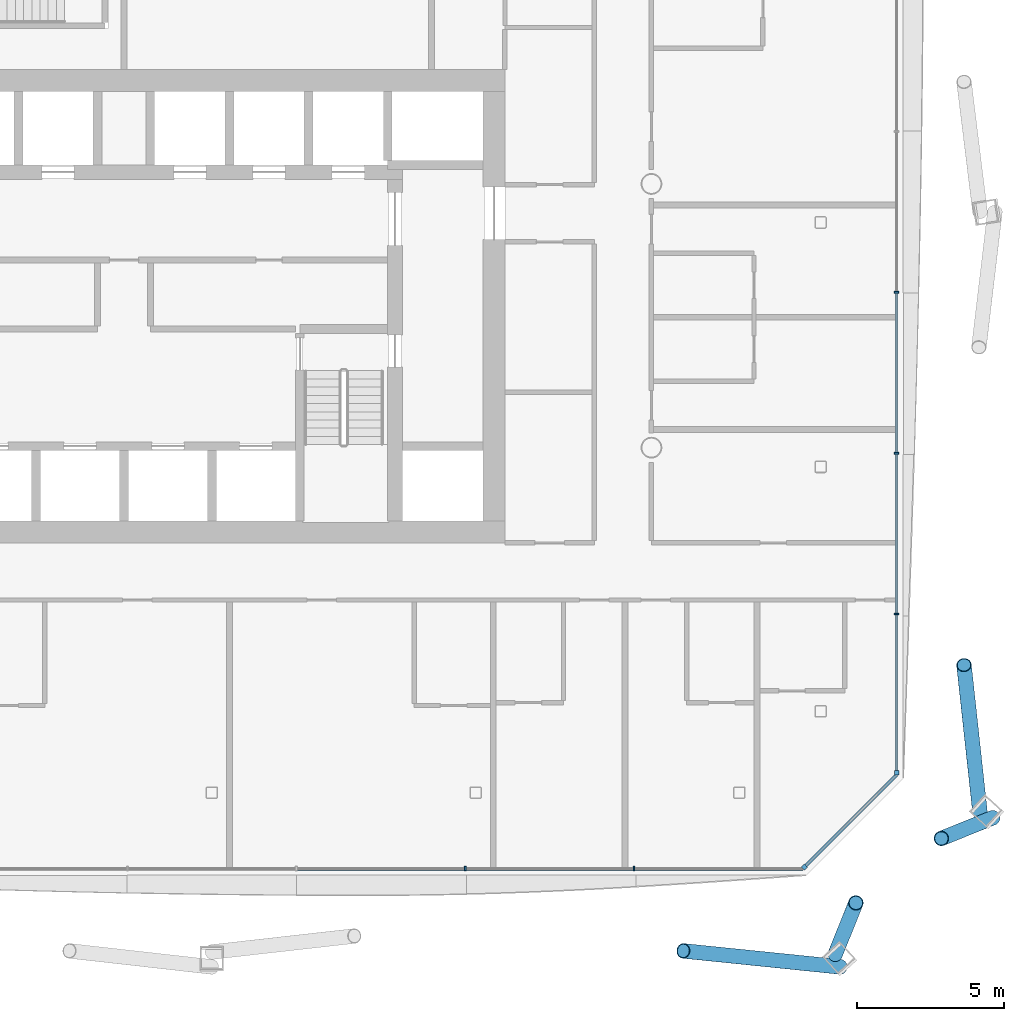
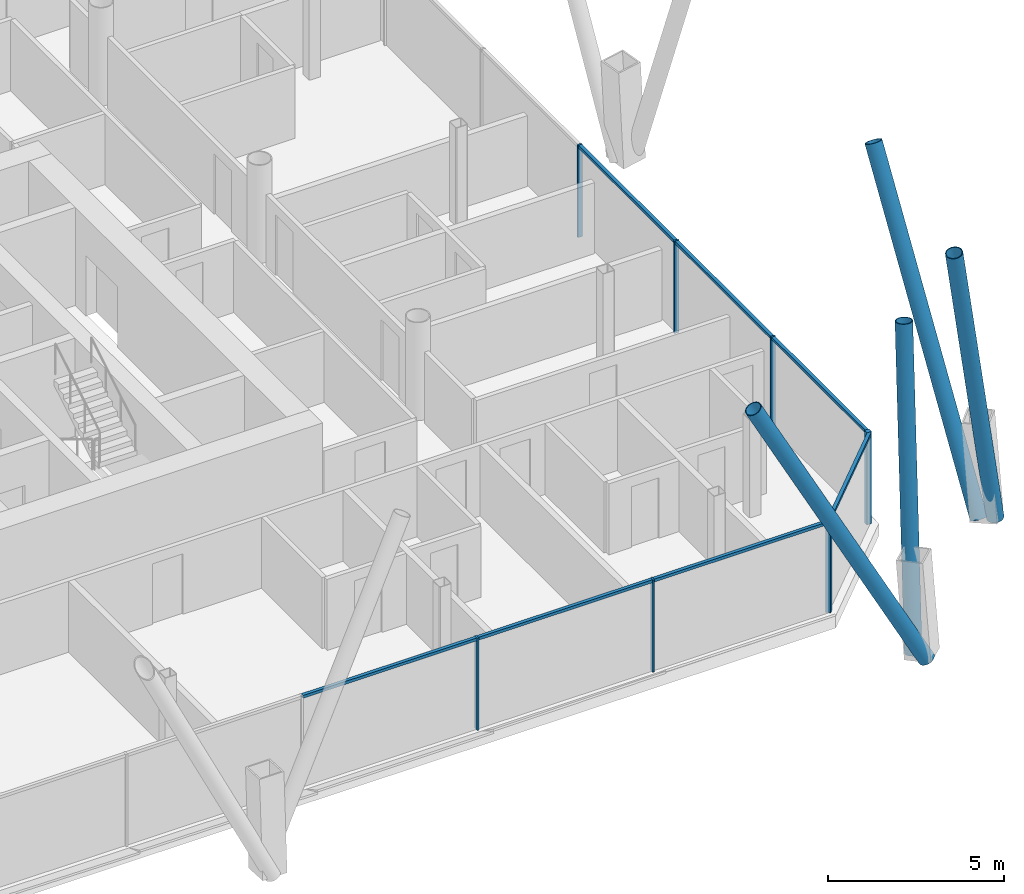
# One storey, part 7 of 22: 18 members, 3 elements without a shape of their own.
"""IFC4 building model written with IfcOpenShell, lengths in metres."""

from ifc_helpers import new_model, si_unit, direction, frame, origin, origin_2d, place, context, subcontext, project, spatial, rectangle, hollow_circle, extrude, material, material_profile, profile_set, type_object, element, aggregate, save


model = new_model("IFC4")

# Units and contexts
model_context = context("Model", 3, precision=1e-05, world=origin(), true_north=direction((0.0, 1.0)))
body_context = subcontext(model_context, "Body", "Model", "MODEL_VIEW")
ifc_project = project(units=[si_unit("LENGTHUNIT", "METRE"), si_unit("AREAUNIT", "SQUARE_METRE"), si_unit("VOLUMEUNIT", "CUBIC_METRE"), si_unit("PLANEANGLEUNIT", "RADIAN"), si_unit("MASSUNIT", "GRAM", prefix="KILO")], contexts=[model_context])

# Site, building, storey
site_placement = place(None, origin())
site = spatial("IfcSite", under=ifc_project, at=site_placement, CompositionType="ELEMENT")
building_placement = place(site_placement, origin())
building = spatial("IfcBuilding", under=site, at=building_placement, Name="Tskaro Facet Tower", CompositionType="ELEMENT")
storey_placement = place(building_placement, frame((0.0, 0.0, 121.5)))
storey = spatial("IfcBuildingStorey", under=building, at=storey_placement, Name="L28", CompositionType="ELEMENT", Elevation=121.5)

# Members
ifc_material_1 = material(Name="Steel S355J2H", Category="steel")
ifc_material_profile_1 = material_profile(ifc_material_1, hollow_circle(Radius=0.25390625, WallThickness=0.02490234375, at=origin_2d()), Name="CHS 508x25")
ifc_profile_set_1 = profile_set([ifc_material_profile_1], Name="Steel S355J2H")
member_type_1 = type_object("IfcMemberType", Name="CHS 508x25 brace", PredefinedType="BRACE", material=ifc_profile_set_1)
member_1_placement = place(storey_placement, frame((24.450927734375, -26.720947265625, 0.0), z_axis=(-0.464841154479, 0.047466025198, 0.884120850085), x_axis=(-0.101584123416, -0.994826952726, 0.0)))
element("IfcMember", 1, at=member_1_placement, inside=storey, type_object=member_type_1, Name="CHS 508x25 XB02B/3", PredefinedType="BRACE", context=body_context, shape_type="SweptSolid", body=[
    extrude(hollow_circle(Radius=0.25390625, WallThickness=0.02490234375, at=origin_2d()), origin(), (0.0, 0.0, 1.0), 11.536865234375),
])
for number, where, z_axis, x_axis, name in (
    (2, (24.271484375, -26.287353515625, 0.0), (0.06806170464, 0.16909521018, 0.983246873504), (-0.927673141554, 0.373393281193, 0.0), "CHS 508x25 XB03A/3"),
    (3, (29.646484375, -21.630615234375, 0.0), (-0.169094939278, -0.068085130039, 0.983245298274), (0.373504384444, -0.927628414184, 0.0), "CHS 508x25 XB03B/3"),
):
    element("IfcMember", number, at=place(storey_placement, frame(where, z_axis=z_axis, x_axis=x_axis)), inside=storey, type_object=member_type_1, Name=name, PredefinedType="BRACE", context=body_context, shape_type="SweptSolid", body=[
        extrude(hollow_circle(Radius=0.25390625, WallThickness=0.02490234375, at=origin_2d()), origin(), (0.0, 0.0, 1.0), 10.373779296875),
    ])
member_2_placement = place(storey_placement, frame((29.212890625, -21.450927734375, 0.0), z_axis=(-0.048088139022, 0.442033548975, 0.895708586799), x_axis=(-0.99413454978, -0.108150344124, 0.0)))
element("IfcMember", 4, at=member_2_placement, inside=storey, type_object=member_type_1, Name="CHS 508x25 XB04A/3", PredefinedType="BRACE", context=body_context, shape_type="SweptSolid", body=[
    extrude(hollow_circle(Radius=0.25390625, WallThickness=0.02490234375, at=origin_2d()), origin(), (0.0, 0.0, 1.0), 11.3876953125),
])

# Curtain wall, member
ifc_material_2 = material(Name="Bronze anodised aluminium 6063-T6", Category="aluminium")
curtain_wall_type = type_object("IfcCurtainWallType", Name="Bronze hotel curtain wall (FW2)", PredefinedType="NOTDEFINED", material=ifc_material_2)
curtain_wall_1_placement = place(storey_placement, origin())
curtain_wall_1 = element("IfcCurtainWall", 5, at=curtain_wall_1_placement, inside=storey, type_object=curtain_wall_type, Name="FW2 south-east facet L28", PredefinedType="NOTDEFINED")
ifc_material_profile_2 = material_profile(ifc_material_2, rectangle(XDim=0.14990234375, YDim=0.14990234375, at=origin_2d()), Name="Corner post 150x150")
ifc_profile_set_2 = profile_set([ifc_material_profile_2], Name="Bronze anodised aluminium 6063-T6")
member_type_2 = type_object("IfcMemberType", Name="FW2 bronze corner post 150x150", PredefinedType="MULLION", material=ifc_profile_set_2)
member_3_placement = place(storey_placement, frame((23.218994140625, -23.31396484375, 0.0), z_axis=(0.0, 0.0, 1.0), x_axis=(0.707106781187, 0.707106781187, 0.0)))
member_3 = element("IfcMember", 6, at=member_3_placement, type_object=member_type_2, Name="FW2 south-east corner post", PredefinedType="MULLION", context=body_context, shape_type="SweptSolid", body=[
    extrude(rectangle(XDim=0.14990234375, YDim=0.14990234375, at=origin_2d()), origin(), (0.0, 0.0, 1.0), 3.199951171875),
])

curtain_wall_2_placement = place(storey_placement, origin())
curtain_wall_2 = element("IfcCurtainWall", 7, at=curtain_wall_2_placement, inside=storey, type_object=curtain_wall_type, Name="FW2 east facet L28", PredefinedType="NOTDEFINED")
member_4_placement = place(storey_placement, frame((26.366943359375, -20.091064453125, 0.0), z_axis=(0.0, 0.0, 1.0), x_axis=(0.0, 1.0, 0.0)))
member_4 = element("IfcMember", 8, at=member_4_placement, type_object=member_type_2, Name="FW2 east corner post", PredefinedType="MULLION", context=body_context, shape_type="SweptSolid", body=[
    extrude(rectangle(XDim=0.14990234375, YDim=0.14990234375, at=origin_2d()), origin(), (0.0, 0.0, 1.0), 3.199951171875),
])

# Curtain wall, members
curtain_wall_3_placement = place(storey_placement, origin())
curtain_wall_3 = element("IfcCurtainWall", 9, at=curtain_wall_3_placement, inside=storey, type_object=curtain_wall_type, Name="FW2 south facet L28", PredefinedType="NOTDEFINED")
ifc_material_profile_3 = material_profile(ifc_material_2, rectangle(XDim=0.06005859375, YDim=0.14990234375, at=origin_2d()), Name="Mullion 60x150")
ifc_profile_set_3 = profile_set([ifc_material_profile_3], Name="Bronze anodised aluminium 6063-T6")
member_type_3 = type_object("IfcMemberType", Name="FW2 bronze mullion 60x150", PredefinedType="MULLION", material=ifc_profile_set_3)
member_5_placement = place(storey_placement, frame((11.642578125, -23.366943359375, 0.0), z_axis=(0.0, 0.0, 1.0), x_axis=(1.0, 0.0, 0.0)))
member_5 = element("IfcMember", 10, at=member_5_placement, type_object=member_type_3, Name="FW2 south mullion 5", PredefinedType="MULLION", context=body_context, shape_type="SweptSolid", body=[
    extrude(rectangle(XDim=0.06005859375, YDim=0.14990234375, at=origin_2d()), origin(), (0.0, 0.0, 1.0), 3.199951171875),
])
member_6_placement = place(storey_placement, frame((17.404296875, -23.366943359375, 0.0), z_axis=(0.0, 0.0, 1.0), x_axis=(1.0, 0.0, 0.0)))
member_6 = element("IfcMember", 11, at=member_6_placement, type_object=member_type_3, Name="FW2 south mullion 6", PredefinedType="MULLION", context=body_context, shape_type="SweptSolid", body=[
    extrude(rectangle(XDim=0.06005859375, YDim=0.14990234375, at=origin_2d()), origin(), (0.0, 0.0, 1.0), 3.199951171875),
])

# Member
member_7_placement = place(storey_placement, frame((26.366943359375, -14.677490234375, 0.0), z_axis=(0.0, 0.0, 1.0), x_axis=(0.0, 1.0, 0.0)))
member_7 = element("IfcMember", 12, at=member_7_placement, type_object=member_type_3, Name="FW2 east mullion 1", PredefinedType="MULLION", context=body_context, shape_type="SweptSolid", body=[
    extrude(rectangle(XDim=0.06005859375, YDim=0.14990234375, at=origin_2d()), origin(), (0.0, 0.0, 1.0), 3.199951171875),
])

member_8_placement = place(storey_placement, frame((26.366943359375, -9.189208984375, 0.0), z_axis=(0.0, 0.0, 1.0), x_axis=(0.0, 1.0, 0.0)))
member_8 = element("IfcMember", 13, at=member_8_placement, type_object=member_type_3, Name="FW2 east mullion 2", PredefinedType="MULLION", context=body_context, shape_type="SweptSolid", body=[
    extrude(rectangle(XDim=0.06005859375, YDim=0.14990234375, at=origin_2d()), origin(), (0.0, 0.0, 1.0), 3.199951171875),
])

member_9_placement = place(storey_placement, frame((26.366943359375, -3.70068359375, 0.0), z_axis=(0.0, 0.0, 1.0), x_axis=(0.0, 1.0, 0.0)))
member_9 = element("IfcMember", 14, at=member_9_placement, type_object=member_type_3, Name="FW2 east mullion 3", PredefinedType="MULLION", context=body_context, shape_type="SweptSolid", body=[
    extrude(rectangle(XDim=0.06005859375, YDim=0.14990234375, at=origin_2d()), origin(), (0.0, 0.0, 1.0), 3.199951171875),
])

ifc_material_profile_4 = material_profile(ifc_material_2, rectangle(XDim=0.110107421875, YDim=0.10009765625, at=origin_2d()), Name="Transom 110x100")
ifc_profile_set_4 = profile_set([ifc_material_profile_4], Name="Bronze anodised aluminium 6063-T6")
member_type_4 = type_object("IfcMemberType", Name="FW2 bronze transom 110x100", PredefinedType="USERDEFINED", material=ifc_profile_set_4)
member_10_placement = place(storey_placement, frame((5.910888671875, -23.366943359375, 3.14990234375), z_axis=(1.0, 0.0, 0.0), x_axis=(0.0, 1.0, 0.0)))
member_10 = element("IfcMember", 15, at=member_10_placement, type_object=member_type_4, Name="FW2 south transom 5.1", ObjectType="TRANSOM", PredefinedType="USERDEFINED", context=body_context, shape_type="SweptSolid", body=[
    extrude(rectangle(XDim=0.110107421875, YDim=0.10009765625, at=origin_2d()), origin(), (0.0, 0.0, 1.0), 5.70166015625),
])

member_11_placement = place(storey_placement, frame((11.672607421875, -23.366943359375, 3.14990234375), z_axis=(1.0, 0.0, 0.0), x_axis=(0.0, 1.0, 0.0)))
member_11 = element("IfcMember", 16, at=member_11_placement, type_object=member_type_4, Name="FW2 south transom 6.1", ObjectType="TRANSOM", PredefinedType="USERDEFINED", context=body_context, shape_type="SweptSolid", body=[
    extrude(rectangle(XDim=0.110107421875, YDim=0.10009765625, at=origin_2d()), origin(), (0.0, 0.0, 1.0), 5.70166015625),
])

member_12_placement = place(storey_placement, frame((17.434326171875, -23.366943359375, 3.14990234375), z_axis=(1.0, 0.0, 0.0), x_axis=(0.0, 1.0, 0.0)))
member_12 = element("IfcMember", 17, at=member_12_placement, type_object=member_type_4, Name="FW2 south transom 7.1", ObjectType="TRANSOM", PredefinedType="USERDEFINED", context=body_context, shape_type="SweptSolid", body=[
    extrude(rectangle(XDim=0.110107421875, YDim=0.10009765625, at=origin_2d()), origin(), (0.0, 0.0, 1.0), 5.731689453125),
])

aggregate(curtain_wall_3, [member_5, member_6, member_10, member_11, member_12])

member_13_placement = place(storey_placement, frame((23.27197265625, -23.260986328125, 3.14990234375), z_axis=(0.707106781187, 0.707106781187, 0.0), x_axis=(-0.707106781187, 0.707106781187, 0.0)))
member_13 = element("IfcMember", 18, at=member_13_placement, type_object=member_type_4, Name="FW2 south-east transom 1.1", ObjectType="TRANSOM", PredefinedType="USERDEFINED", context=body_context, shape_type="SweptSolid", body=[
    extrude(rectangle(XDim=0.110107421875, YDim=0.10009765625, at=origin_2d()), origin(), (0.0, 0.0, 1.0), 4.376953125),
])

aggregate(curtain_wall_1, [member_3, member_13])

member_14_placement = place(storey_placement, frame((26.366943359375, -20.01611328125, 3.14990234375), z_axis=(0.0, 1.0, 0.0), x_axis=(-1.0, 0.0, 0.0)))
member_14 = element("IfcMember", 19, at=member_14_placement, type_object=member_type_4, Name="FW2 east transom 1.1", ObjectType="TRANSOM", PredefinedType="USERDEFINED", context=body_context, shape_type="SweptSolid", body=[
    extrude(rectangle(XDim=0.110107421875, YDim=0.10009765625, at=origin_2d()), origin(), (0.0, 0.0, 1.0), 5.30859375),
])

member_15_placement = place(storey_placement, frame((26.366943359375, -14.6474609375, 3.14990234375), z_axis=(0.0, 1.0, 0.0), x_axis=(-1.0, 0.0, 0.0)))
member_15 = element("IfcMember", 20, at=member_15_placement, type_object=member_type_4, Name="FW2 east transom 2.1", ObjectType="TRANSOM", PredefinedType="USERDEFINED", context=body_context, shape_type="SweptSolid", body=[
    extrude(rectangle(XDim=0.110107421875, YDim=0.10009765625, at=origin_2d()), origin(), (0.0, 0.0, 1.0), 5.42822265625),
])

member_16_placement = place(storey_placement, frame((26.366943359375, -9.1591796875, 3.14990234375), z_axis=(0.0, 1.0, 0.0), x_axis=(-1.0, 0.0, 0.0)))
member_16 = element("IfcMember", 21, at=member_16_placement, type_object=member_type_4, Name="FW2 east transom 3.1", ObjectType="TRANSOM", PredefinedType="USERDEFINED", context=body_context, shape_type="SweptSolid", body=[
    extrude(rectangle(XDim=0.110107421875, YDim=0.10009765625, at=origin_2d()), origin(), (0.0, 0.0, 1.0), 5.428466796875),
])

aggregate(curtain_wall_2, [member_4, member_7, member_8, member_9, member_14, member_15, member_16])

save(model, "model.ifc")
